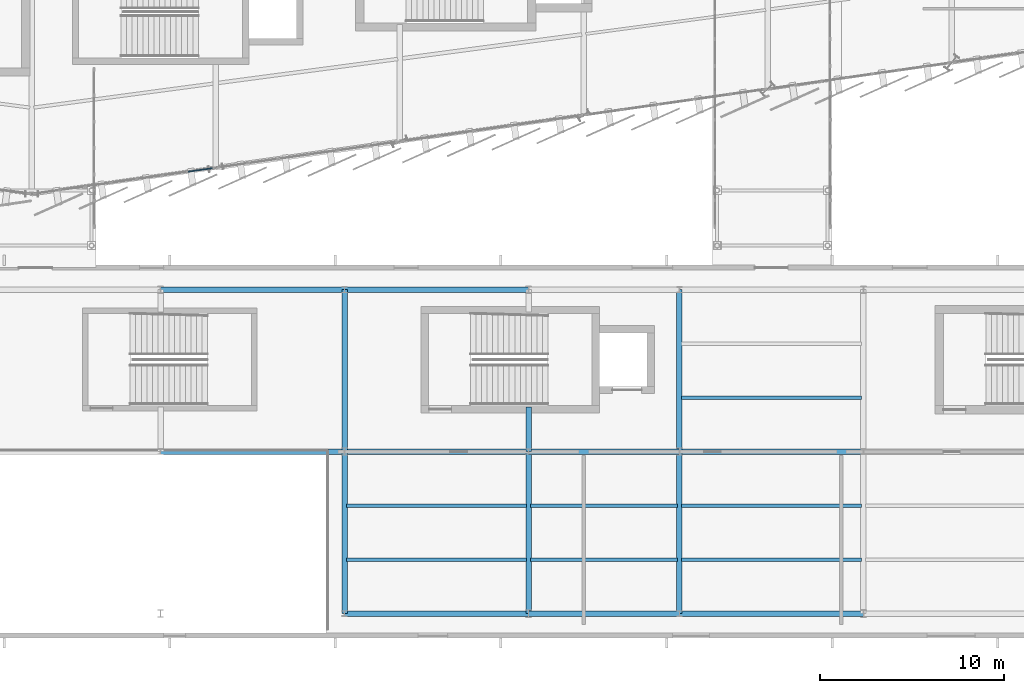
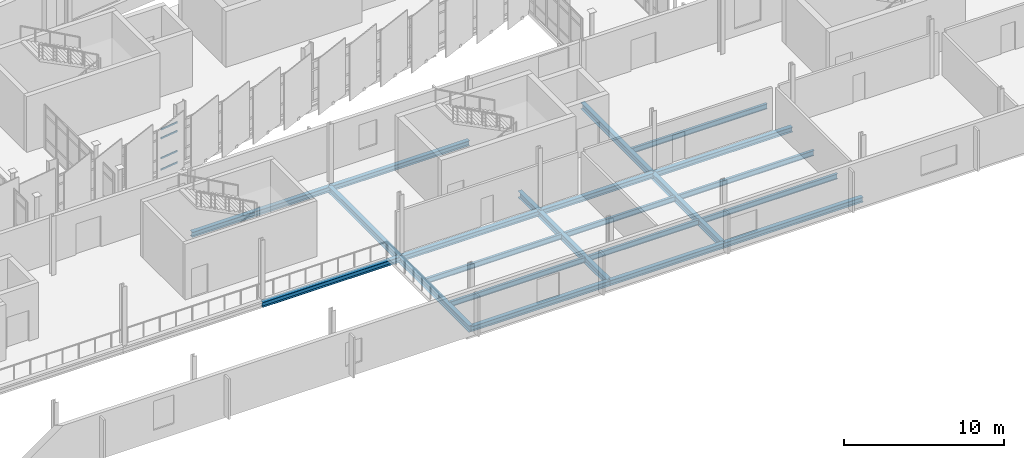
# One storey, part 36 of 134: 22 beams, 4 members, 1 element without a shape of its own.
"""IFC4 building model written with IfcOpenShell, lengths in metres."""

from ifc_helpers import new_model, si_unit, direction, frame, origin, origin_2d, place, context, subcontext, project, spatial, rectangle, i_section, extrude, material, layer, layer_set, material_profile, profile_set, type_object, element, aggregate, save


model = new_model("IFC4")

# Units and contexts
model_context = context("Model", 3, precision=1e-05, world=origin(), true_north=direction((0.0, 1.0)))
body_context = subcontext(model_context, "Body", "Model", "MODEL_VIEW")
ifc_project = project(units=[si_unit("LENGTHUNIT", "METRE"), si_unit("AREAUNIT", "SQUARE_METRE"), si_unit("VOLUMEUNIT", "CUBIC_METRE"), si_unit("PLANEANGLEUNIT", "RADIAN"), si_unit("MASSUNIT", "GRAM", prefix="KILO")], contexts=[model_context])

# Site, building, storey
site_placement = place(None, origin())
site = spatial("IfcSite", under=ifc_project, at=site_placement, CompositionType="ELEMENT")
building_placement = place(site_placement, origin())
building = spatial("IfcBuilding", under=site, at=building_placement, Name="Sohan Crest Arena", CompositionType="ELEMENT")
storey_placement = place(building_placement, frame((0.0, 0.0, 4.5)))
storey = spatial("IfcBuildingStorey", under=building, at=storey_placement, Name="L01", CompositionType="ELEMENT", Elevation=4.5)

# Curtain wall, members
ifc_material_1 = material(Name="Thermally broken anodised aluminium", Category="aluminium")
ifc_layer = layer(ifc_material_1, 0.179931640625, Name="Thermally broken anodised aluminium")
ifc_layer_set = layer_set([ifc_layer], Name="Thermally broken anodised aluminium")
curtain_wall_type = type_object("IfcCurtainWallType", Name="ARC-CW01", PredefinedType="NOTDEFINED", material=ifc_layer_set)
curtain_wall_placement = place(storey_placement, origin())
curtain_wall = element("IfcCurtainWall", 1, at=curtain_wall_placement, inside=storey, type_object=curtain_wall_type, Name="Unitised curtain wall CW-030", PredefinedType="NOTDEFINED")
ifc_material_profile_1 = material_profile(ifc_material_1, rectangle(XDim=0.06005859375, YDim=0.1201171875, at=origin_2d()), Name="ALU-TRAN 60x120")
ifc_profile_set_1 = profile_set([ifc_material_profile_1], Name="Thermally broken anodised aluminium")
member_type = type_object("IfcMemberType", Name="ARC-CW-TR01", PredefinedType="USERDEFINED", material=ifc_profile_set_1)
member_1_placement = place(storey_placement, frame((106.509033203125, 31.21630859375, 0.030029296875), z_axis=(0.989927214987, 0.141577219313, 0.0), x_axis=(-0.141577219313, 0.989927214987, 0.0)))
member_1 = element("IfcMember", 2, at=member_1_placement, type_object=member_type, Name="CW-030 transom 7.1", ObjectType="TRANSOM", PredefinedType="USERDEFINED", context=body_context, shape_type="SweptSolid", body=[
    extrude(rectangle(XDim=0.06005859375, YDim=0.1201171875, at=origin_2d()), origin(), (0.0, 0.0, 1.0), 1.315673828125),
])
member_2_placement = place(storey_placement, frame((106.509033203125, 31.21630859375, 0.89990234375), z_axis=(0.989927214987, 0.141577219313, 0.0), x_axis=(-0.141577219313, 0.989927214987, 0.0)))
member_2 = element("IfcMember", 3, at=member_2_placement, type_object=member_type, Name="CW-030 transom 7.2", ObjectType="TRANSOM", PredefinedType="USERDEFINED", context=body_context, shape_type="SweptSolid", body=[
    extrude(rectangle(XDim=0.06005859375, YDim=0.1201171875, at=origin_2d()), origin(), (0.0, 0.0, 1.0), 1.315673828125),
])
member_3_placement = place(storey_placement, frame((106.509033203125, 31.21630859375, 2.419921875), z_axis=(0.989927214987, 0.141577219313, 0.0), x_axis=(-0.141577219313, 0.989927214987, 0.0)))
member_3 = element("IfcMember", 4, at=member_3_placement, type_object=member_type, Name="CW-030 transom 7.3", ObjectType="TRANSOM", PredefinedType="USERDEFINED", context=body_context, shape_type="SweptSolid", body=[
    extrude(rectangle(XDim=0.06005859375, YDim=0.1201171875, at=origin_2d()), origin(), (0.0, 0.0, 1.0), 1.315673828125),
])
member_4_placement = place(storey_placement, frame((106.509033203125, 31.21630859375, 3.090087890625), z_axis=(0.989927214987, 0.141577219313, 0.0), x_axis=(-0.141577219313, 0.989927214987, 0.0)))
member_4 = element("IfcMember", 5, at=member_4_placement, type_object=member_type, Name="CW-030 transom 7.4", ObjectType="TRANSOM", PredefinedType="USERDEFINED", context=body_context, shape_type="SweptSolid", body=[
    extrude(rectangle(XDim=0.06005859375, YDim=0.1201171875, at=origin_2d()), origin(), (0.0, 0.0, 1.0), 1.315673828125),
])
aggregate(curtain_wall, [member_1, member_2, member_3, member_4])

# Beams
ifc_material_2 = material(Name="Steel S355", Category="steel")
ifc_material_profile_2 = material_profile(ifc_material_2, i_section(OverallWidth=0.179931640625, OverallDepth=0.39990234375, WebThickness=0.008544921875, FlangeThickness=0.013427734375, at=origin_2d()), Name="IPE 400")
ifc_profile_set_2 = profile_set([ifc_material_profile_2], Name="Steel S355")
beam_type_1 = type_object("IfcBeamType", Name="STR-BM-B03", PredefinedType="JOIST", material=ifc_profile_set_2)
for number, where, z_axis, x_axis, name in (
    (6, (115.110107421875, 10.133056640625, -0.449951171875), (1.0, 0.0, 0.0), (0.0, 1.0, 0.0), "Structural beam J-L01-2594"),
    (7, (115.110107421875, 13.06689453125, -0.449951171875), (1.0, 0.0, 0.0), (0.0, 1.0, 0.0), "Structural beam J-L01-2595"),
):
    element("IfcBeam", number, at=place(storey_placement, frame(where, z_axis=z_axis, x_axis=x_axis)), inside=storey, type_object=beam_type_1, Name=name, PredefinedType="JOIST", context=body_context, shape_type="SweptSolid", body=[
        extrude(i_section(OverallWidth=0.179931640625, OverallDepth=0.39990234375, WebThickness=0.008544921875, FlangeThickness=0.013427734375, at=origin_2d()), origin(), (0.0, 0.0, 1.0), 9.77978515625),
    ])
for number, where, z_axis, x_axis, name in (
    (8, (125.110107421875, 10.133056640625, -0.449951171875), (1.0, 0.0, 0.0), (0.0, 1.0, 0.0), "Structural beam J-L01-2597"),
    (9, (125.110107421875, 13.06689453125, -0.449951171875), (1.0, 0.0, 0.0), (0.0, 1.0, 0.0), "Structural beam J-L01-2598"),
):
    element("IfcBeam", number, at=place(storey_placement, frame(where, z_axis=z_axis, x_axis=x_axis)), inside=storey, type_object=beam_type_1, Name=name, PredefinedType="JOIST", context=body_context, shape_type="SweptSolid", body=[
        extrude(i_section(OverallWidth=0.179931640625, OverallDepth=0.39990234375, WebThickness=0.008544921875, FlangeThickness=0.013427734375, at=origin_2d()), origin(), (0.0, 0.0, 1.0), 7.97998046875),
    ])
for number, where, z_axis, x_axis, name in (
    (10, (133.31005859375, 10.133056640625, -0.449951171875), (1.0, 0.0, 0.0), (0.0, 1.0, 0.0), "Structural beam J-L01-2600"),
    (11, (133.31005859375, 13.06689453125, -0.449951171875), (1.0, 0.0, 0.0), (0.0, 1.0, 0.0), "Structural beam J-L01-2601"),
    (12, (133.31005859375, 18.93310546875, -0.449951171875), (1.0, 0.0, 0.0), (0.0, 1.0, 0.0), "Structural beam J-L01-2615"),
):
    element("IfcBeam", number, at=place(storey_placement, frame(where, z_axis=z_axis, x_axis=x_axis)), inside=storey, type_object=beam_type_1, Name=name, PredefinedType="JOIST", context=body_context, shape_type="SweptSolid", body=[
        extrude(i_section(OverallWidth=0.179931640625, OverallDepth=0.39990234375, WebThickness=0.008544921875, FlangeThickness=0.013427734375, at=origin_2d()), origin(), (0.0, 0.0, 1.0), 9.780029296875),
    ])
ifc_material_profile_3 = material_profile(ifc_material_2, i_section(OverallWidth=0.300048828125, OverallDepth=0.389892578125, WebThickness=0.010986328125, FlangeThickness=0.01904296875, at=origin_2d()), Name="HEA 400")
ifc_profile_set_3 = profile_set([ifc_material_profile_3], Name="Steel S355")
beam_type_2 = type_object("IfcBeamType", Name="STR-BM-B09", PredefinedType="BEAM", material=ifc_profile_set_3)
beam_1_placement = place(storey_placement, frame((115.0, 7.199951171875, -0.445068359375), z_axis=(1.0, 0.0, 0.0), x_axis=(0.0, 1.0, 0.0)))
element("IfcBeam", 13, at=beam_1_placement, inside=storey, type_object=beam_type_2, Name="Structural beam G-L01-2593", PredefinedType="BEAM", context=body_context, shape_type="SweptSolid", body=[
    extrude(i_section(OverallWidth=0.300048828125, OverallDepth=0.389892578125, WebThickness=0.010986328125, FlangeThickness=0.01904296875, at=origin_2d()), origin(), (0.0, 0.0, 1.0), 10.0),
])
beam_2_placement = place(storey_placement, frame((125.0, 7.199951171875, -0.445068359375), z_axis=(1.0, 0.0, 0.0), x_axis=(0.0, 1.0, 0.0)))
element("IfcBeam", 14, at=beam_2_placement, inside=storey, type_object=beam_type_2, Name="Structural beam G-L01-2596", PredefinedType="BEAM", context=body_context, shape_type="SweptSolid", body=[
    extrude(i_section(OverallWidth=0.300048828125, OverallDepth=0.389892578125, WebThickness=0.010986328125, FlangeThickness=0.01904296875, at=origin_2d()), origin(), (0.0, 0.0, 1.0), 8.199951171875),
])
for number, where, z_axis, x_axis, name in (
    (15, (133.199951171875, 7.199951171875, -0.445068359375), (1.0, 0.0, 0.0), (0.0, 1.0, 0.0), "Structural beam G-L01-2599"),
    (16, (105.0, 16.0, -0.445068359375), (1.0, 0.0, 0.0), (0.0, 1.0, 0.0), "Structural beam G-L01-2611"),
    (17, (115.0, 16.0, -0.445068359375), (1.0, 0.0, 0.0), (0.0, 1.0, 0.0), "Structural beam G-L01-2612"),
):
    element("IfcBeam", number, at=place(storey_placement, frame(where, z_axis=z_axis, x_axis=x_axis)), inside=storey, type_object=beam_type_2, Name=name, PredefinedType="BEAM", context=body_context, shape_type="SweptSolid", body=[
        extrude(i_section(OverallWidth=0.300048828125, OverallDepth=0.389892578125, WebThickness=0.010986328125, FlangeThickness=0.01904296875, at=origin_2d()), origin(), (0.0, 0.0, 1.0), 10.0),
    ])
beam_3_placement = place(storey_placement, frame((125.0, 16.0, -0.445068359375), z_axis=(1.0, 0.0, 0.0), x_axis=(0.0, 1.0, 0.0)))
element("IfcBeam", 18, at=beam_3_placement, inside=storey, type_object=beam_type_2, Name="Structural beam G-L01-2613", PredefinedType="BEAM", context=body_context, shape_type="SweptSolid", body=[
    extrude(i_section(OverallWidth=0.300048828125, OverallDepth=0.389892578125, WebThickness=0.010986328125, FlangeThickness=0.01904296875, at=origin_2d()), origin(), (0.0, 0.0, 1.0), 8.199951171875),
])
for number, where, z_axis, x_axis, name in (
    (19, (133.199951171875, 16.0, -0.445068359375), (1.0, 0.0, 0.0), (0.0, 1.0, 0.0), "Structural beam G-L01-2614"),
    (20, (105.0, 24.800048828125, -0.445068359375), (1.0, 0.0, 0.0), (0.0, 1.0, 0.0), "Structural beam G-L01-2622"),
    (21, (115.0, 24.800048828125, -0.445068359375), (1.0, 0.0, 0.0), (0.0, 1.0, 0.0), "Structural beam G-L01-2623"),
):
    element("IfcBeam", number, at=place(storey_placement, frame(where, z_axis=z_axis, x_axis=x_axis)), inside=storey, type_object=beam_type_2, Name=name, PredefinedType="BEAM", context=body_context, shape_type="SweptSolid", body=[
        extrude(i_section(OverallWidth=0.300048828125, OverallDepth=0.389892578125, WebThickness=0.010986328125, FlangeThickness=0.01904296875, at=origin_2d()), origin(), (0.0, 0.0, 1.0), 10.0),
    ])
ifc_material_profile_4 = material_profile(ifc_material_2, i_section(OverallWidth=0.300048828125, OverallDepth=0.489990234375, WebThickness=0.011962890625, FlangeThickness=0.02294921875, at=origin_2d()), Name="HEA 500")
ifc_profile_set_4 = profile_set([ifc_material_profile_4], Name="Steel S355")
beam_type_3 = type_object("IfcBeamType", Name="STR-BM-B10", PredefinedType="BEAM", material=ifc_profile_set_4)
for number, where, z_axis, x_axis, name in (
    (22, (115.0, 7.199951171875, -0.4951171875), (0.0, 1.0, 0.0), (-1.0, 0.0, 0.0), "Structural beam G-L01-2579"),
    (23, (115.0, 16.0, -0.4951171875), (0.0, 1.0, 0.0), (-1.0, 0.0, 0.0), "Structural beam G-L01-2580"),
    (24, (125.0, 7.199951171875, -0.4951171875), (0.0, 1.0, 0.0), (-1.0, 0.0, 0.0), "Structural beam G-L01-2581"),
):
    element("IfcBeam", number, at=place(storey_placement, frame(where, z_axis=z_axis, x_axis=x_axis)), inside=storey, type_object=beam_type_3, Name=name, PredefinedType="BEAM", context=body_context, shape_type="SweptSolid", body=[
        extrude(i_section(OverallWidth=0.300048828125, OverallDepth=0.489990234375, WebThickness=0.011962890625, FlangeThickness=0.02294921875, at=origin_2d()), origin(), (0.0, 0.0, 1.0), 8.800048828125),
    ])
beam_4_placement = place(storey_placement, frame((125.0, 16.0, -0.4951171875), z_axis=(0.0, 1.0, 0.0), x_axis=(-1.0, 0.0, 0.0)))
element("IfcBeam", 25, at=beam_4_placement, inside=storey, type_object=beam_type_3, Name="Structural beam G-L01-2582", PredefinedType="BEAM", context=body_context, shape_type="SweptSolid", body=[
    extrude(i_section(OverallWidth=0.300048828125, OverallDepth=0.489990234375, WebThickness=0.011962890625, FlangeThickness=0.02294921875, at=origin_2d()), origin(), (0.0, 0.0, 1.0), 2.419921875),
])
for number, where, z_axis, x_axis, name in (
    (26, (133.199951171875, 7.199951171875, -0.4951171875), (0.0, 1.0, 0.0), (-1.0, 0.0, 0.0), "Structural beam G-L01-2584"),
    (27, (133.199951171875, 16.0, -0.4951171875), (0.0, 1.0, 0.0), (-1.0, 0.0, 0.0), "Structural beam G-L01-2585"),
):
    element("IfcBeam", number, at=place(storey_placement, frame(where, z_axis=z_axis, x_axis=x_axis)), inside=storey, type_object=beam_type_3, Name=name, PredefinedType="BEAM", context=body_context, shape_type="SweptSolid", body=[
        extrude(i_section(OverallWidth=0.300048828125, OverallDepth=0.489990234375, WebThickness=0.011962890625, FlangeThickness=0.02294921875, at=origin_2d()), origin(), (0.0, 0.0, 1.0), 8.800048828125),
    ])

save(model, "model.ifc")
